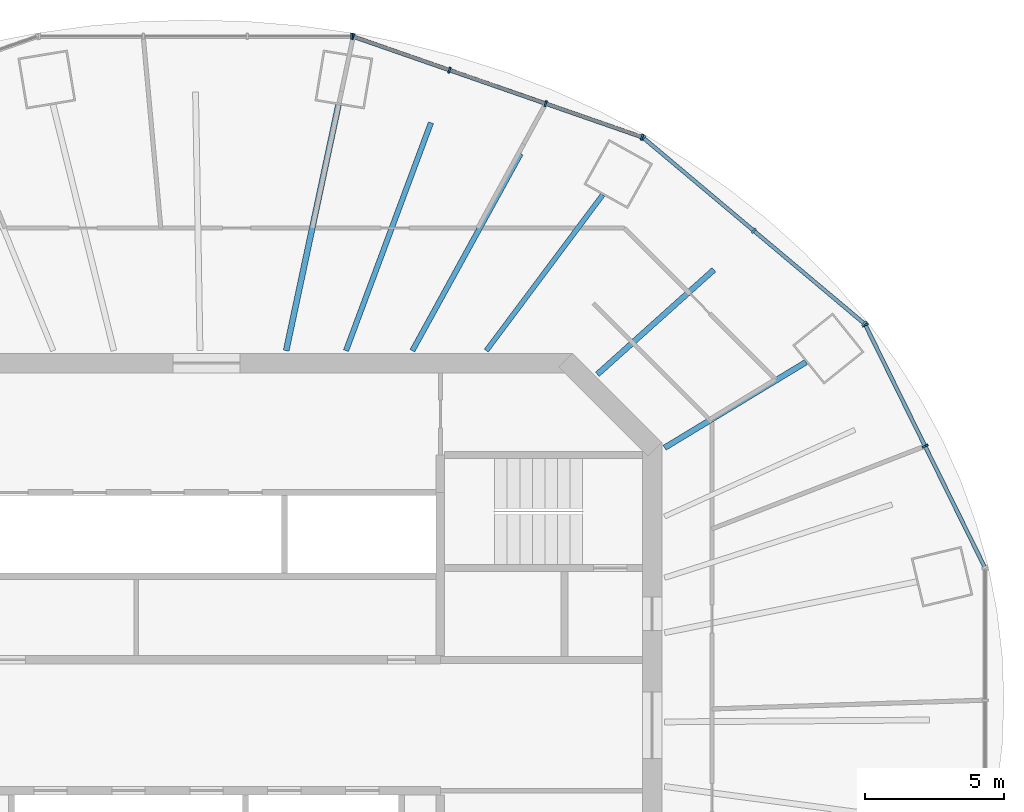
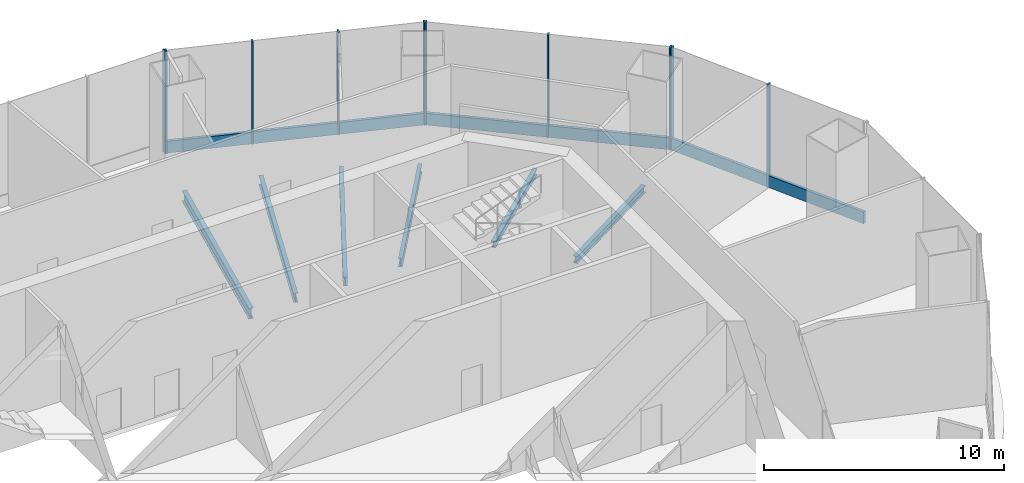
# One storey, part 6 of 12: 13 members, 6 beams, 4 elements without a shape of their own.
"""IFC4 building model written with IfcOpenShell, lengths in metres."""

from ifc_helpers import new_model, si_unit, direction, frame, origin, origin_2d, place, context, subcontext, project, spatial, rectangle, i_section, extrude, material, material_profile, profile_set, type_object, element, aggregate, save


model = new_model("IFC4")

# Units and contexts
model_context = context("Model", 3, precision=1e-05, world=origin(), true_north=direction((0.0, 1.0)))
body_context = subcontext(model_context, "Body", "Model", "MODEL_VIEW")
ifc_project = project(units=[si_unit("LENGTHUNIT", "METRE"), si_unit("AREAUNIT", "SQUARE_METRE"), si_unit("VOLUMEUNIT", "CUBIC_METRE"), si_unit("PLANEANGLEUNIT", "RADIAN"), si_unit("MASSUNIT", "GRAM", prefix="KILO")], contexts=[model_context])

# Site, building, storey
site_placement = place(None, origin())
site = spatial("IfcSite", under=ifc_project, at=site_placement, CompositionType="ELEMENT")
building_placement = place(site_placement, origin())
building = spatial("IfcBuilding", under=site, at=building_placement, Name="Marenthal Gate Tower", CompositionType="ELEMENT")
storey_placement = place(building_placement, frame((0.0, 0.0, 279.10009765625)))
storey = spatial("IfcBuildingStorey", under=building, at=storey_placement, Name="L62", CompositionType="ELEMENT", Elevation=279.10009765625)

# Curtain wall, members
ifc_material_1 = material(Name="Aluminium and glass", Category="aluminium")
curtain_wall_type = type_object("IfcCurtainWallType", Name="Curtain wall sky lobby", PredefinedType="NOTDEFINED", material=ifc_material_1)
curtain_wall_1_placement = place(storey_placement, origin())
curtain_wall_1 = element("IfcCurtainWall", 1, at=curtain_wall_1_placement, inside=storey, type_object=curtain_wall_type, Name="Curtain wall L62 bay 1", PredefinedType="NOTDEFINED")
ifc_material_2 = material(Name="Aluminium", Category="aluminium")
ifc_material_profile_1 = material_profile(ifc_material_2, rectangle(XDim=0.219970703125, YDim=0.070068359375, at=origin_2d()), Name="70x220 aluminium mullion")
ifc_profile_set_1 = profile_set([ifc_material_profile_1], Name="Aluminium")
member_type_1 = type_object("IfcMemberType", Name="Mullion 70x220 sky lobby", PredefinedType="MULLION", material=ifc_profile_set_1)
member_1_placement = place(storey_placement, frame((25.803466796875, 10.021728515625, 0.0), z_axis=(0.0, 0.0, 1.0), x_axis=(-0.89697015821, -0.442091093871, 0.0)))
member_1 = element("IfcMember", 2, at=member_1_placement, type_object=member_type_1, Name="Mullion L62 bay 1.2", PredefinedType="MULLION", context=body_context, shape_type="SweptSolid", body=[
    extrude(rectangle(XDim=0.219970703125, YDim=0.070068359375, at=origin_2d()), origin(), (0.0, 0.0, 1.0), 5.219970703125),
])
member_2_placement = place(storey_placement, frame((23.65771484375, 14.375, 0.0), z_axis=(0.0, 0.0, 1.0), x_axis=(-0.89697015821, -0.442091093871, 0.0)))
member_2 = element("IfcMember", 3, at=member_2_placement, type_object=member_type_1, Name="Mullion L62 bay 1.3", PredefinedType="MULLION", context=body_context, shape_type="SweptSolid", body=[
    extrude(rectangle(XDim=0.219970703125, YDim=0.070068359375, at=origin_2d()), origin(), (0.0, 0.0, 1.0), 5.219970703125),
])

curtain_wall_2_placement = place(storey_placement, origin())
curtain_wall_2 = element("IfcCurtainWall", 4, at=curtain_wall_2_placement, inside=storey, type_object=curtain_wall_type, Name="Curtain wall L62 bay 2", PredefinedType="NOTDEFINED")
member_3_placement = place(storey_placement, frame((23.621337890625, 14.42138671875, 0.0), z_axis=(0.0, 0.0, 1.0), x_axis=(-0.643380191367, -0.76554681722, 0.0)))
member_3 = element("IfcMember", 5, at=member_3_placement, type_object=member_type_1, Name="Mullion L62 bay 2.1", PredefinedType="MULLION", context=body_context, shape_type="SweptSolid", body=[
    extrude(rectangle(XDim=0.219970703125, YDim=0.070068359375, at=origin_2d()), origin(), (0.0, 0.0, 1.0), 5.219970703125),
])
member_4_placement = place(storey_placement, frame((19.6552734375, 17.754638671875, 0.0), z_axis=(0.0, 0.0, 1.0), x_axis=(-0.643380191367, -0.76554681722, 0.0)))
member_4 = element("IfcMember", 6, at=member_4_placement, type_object=member_type_1, Name="Mullion L62 bay 2.2", PredefinedType="MULLION", context=body_context, shape_type="SweptSolid", body=[
    extrude(rectangle(XDim=0.219970703125, YDim=0.070068359375, at=origin_2d()), origin(), (0.0, 0.0, 1.0), 5.219970703125),
])
member_5_placement = place(storey_placement, frame((15.68896484375, 21.087890625, 0.0), z_axis=(0.0, 0.0, 1.0), x_axis=(-0.643380191367, -0.76554681722, 0.0)))
member_5 = element("IfcMember", 7, at=member_5_placement, type_object=member_type_1, Name="Mullion L62 bay 2.3", PredefinedType="MULLION", context=body_context, shape_type="SweptSolid", body=[
    extrude(rectangle(XDim=0.219970703125, YDim=0.070068359375, at=origin_2d()), origin(), (0.0, 0.0, 1.0), 5.219970703125),
])

curtain_wall_3_placement = place(storey_placement, origin())
curtain_wall_3 = element("IfcCurtainWall", 8, at=curtain_wall_3_placement, inside=storey, type_object=curtain_wall_type, Name="Curtain wall L62 bay 3", PredefinedType="NOTDEFINED")
member_6_placement = place(storey_placement, frame((15.6376953125, 21.116943359375, 0.0), z_axis=(0.0, 0.0, 1.0), x_axis=(-0.328756746245, -0.944414634469, 0.0)))
member_6 = element("IfcMember", 9, at=member_6_placement, type_object=member_type_1, Name="Mullion L62 bay 3.1", PredefinedType="MULLION", context=body_context, shape_type="SweptSolid", body=[
    extrude(rectangle(XDim=0.219970703125, YDim=0.070068359375, at=origin_2d()), origin(), (0.0, 0.0, 1.0), 5.219970703125),
])
member_7_placement = place(storey_placement, frame((12.181884765625, 22.320068359375, 0.0), z_axis=(0.0, 0.0, 1.0), x_axis=(-0.328756746245, -0.944414634469, 0.0)))
member_7 = element("IfcMember", 10, at=member_7_placement, type_object=member_type_1, Name="Mullion L62 bay 3.2", PredefinedType="MULLION", context=body_context, shape_type="SweptSolid", body=[
    extrude(rectangle(XDim=0.219970703125, YDim=0.070068359375, at=origin_2d()), origin(), (0.0, 0.0, 1.0), 5.219970703125),
])
member_8_placement = place(storey_placement, frame((8.725830078125, 23.523193359375, 0.0), z_axis=(0.0, 0.0, 1.0), x_axis=(-0.328756746245, -0.944414634469, 0.0)))
member_8 = element("IfcMember", 11, at=member_8_placement, type_object=member_type_1, Name="Mullion L62 bay 3.3", PredefinedType="MULLION", context=body_context, shape_type="SweptSolid", body=[
    extrude(rectangle(XDim=0.219970703125, YDim=0.070068359375, at=origin_2d()), origin(), (0.0, 0.0, 1.0), 5.219970703125),
])
member_9_placement = place(storey_placement, frame((5.27001953125, 24.72607421875, 0.0), z_axis=(0.0, 0.0, 1.0), x_axis=(-0.328756746245, -0.944414634469, 0.0)))
member_9 = element("IfcMember", 12, at=member_9_placement, type_object=member_type_1, Name="Mullion L62 bay 3.4", PredefinedType="MULLION", context=body_context, shape_type="SweptSolid", body=[
    extrude(rectangle(XDim=0.219970703125, YDim=0.070068359375, at=origin_2d()), origin(), (0.0, 0.0, 1.0), 5.219970703125),
])

# Curtain wall, member
curtain_wall_4_placement = place(storey_placement, origin())
curtain_wall_4 = element("IfcCurtainWall", 13, at=curtain_wall_4_placement, inside=storey, type_object=curtain_wall_type, Name="Curtain wall L62 bay 4", PredefinedType="NOTDEFINED")
member_10_placement = place(storey_placement, frame((5.211669921875, 24.736083984375, 0.0), z_axis=(0.0, 0.0, 1.0), x_axis=(0.0, -1.0, 0.0)))
member_10 = element("IfcMember", 14, at=member_10_placement, type_object=member_type_1, Name="Mullion L62 bay 4.1", PredefinedType="MULLION", context=body_context, shape_type="SweptSolid", body=[
    extrude(rectangle(XDim=0.219970703125, YDim=0.070068359375, at=origin_2d()), origin(), (0.0, 0.0, 1.0), 5.219970703125),
])
aggregate(curtain_wall_4, [member_10])

# Member
ifc_material_3 = material(Name="Aluminium", Category="aluminium")
ifc_material_profile_2 = material_profile(ifc_material_3, rectangle(XDim=0.139892578125, YDim=0.60009765625, at=origin_2d()), Name="140x600 aluminium transom")
ifc_profile_set_2 = profile_set([ifc_material_profile_2], Name="Aluminium")
member_type_2 = type_object("IfcMemberType", Name="Transom 140x600 sky lobby", PredefinedType="USERDEFINED", material=ifc_profile_set_2)
member_11_placement = place(storey_placement, frame((27.93359375, 5.69970703125, 0.2998046875), z_axis=(-0.442099023513, 0.896966249872, 0.0), x_axis=(-0.896966249872, -0.442099023513, 0.0)))
member_11 = element("IfcMember", 15, at=member_11_placement, type_object=member_type_2, Name="Transom L62 bay 1", ObjectType="TRANSOM", PredefinedType="USERDEFINED", context=body_context, shape_type="SweptSolid", body=[
    extrude(rectangle(XDim=0.139892578125, YDim=0.60009765625, at=origin_2d()), origin(), (0.0, 0.0, 1.0), 9.636962890625),
])

aggregate(curtain_wall_1, [member_1, member_2, member_11])

member_12_placement = place(storey_placement, frame((23.5947265625, 14.44384765625, 0.2998046875), z_axis=(-0.765546889855, 0.643380104941, 0.0), x_axis=(-0.643380104941, -0.765546889855, 0.0)))
member_12 = element("IfcMember", 16, at=member_12_placement, type_object=member_type_2, Name="Transom L62 bay 2", ObjectType="TRANSOM", PredefinedType="USERDEFINED", context=body_context, shape_type="SweptSolid", body=[
    extrude(rectangle(XDim=0.139892578125, YDim=0.60009765625, at=origin_2d()), origin(), (0.0, 0.0, 1.0), 10.291748046875),
])

aggregate(curtain_wall_2, [member_3, member_4, member_5, member_12])

member_13_placement = place(storey_placement, frame((15.6044921875, 21.128662109375, 0.2998046875), z_axis=(-0.944417053534, 0.32874979695, 0.0), x_axis=(-0.32874979695, -0.944417053534, 0.0)))
member_13 = element("IfcMember", 17, at=member_13_placement, type_object=member_type_2, Name="Transom L62 bay 3", ObjectType="TRANSOM", PredefinedType="USERDEFINED", context=body_context, shape_type="SweptSolid", body=[
    extrude(rectangle(XDim=0.139892578125, YDim=0.60009765625, at=origin_2d()), origin(), (0.0, 0.0, 1.0), 10.90771484375),
])

aggregate(curtain_wall_3, [member_6, member_7, member_8, member_9, member_13])

# Beams
ifc_material_4 = material(Name="Steel S355", Category="steel")
ifc_material_profile_3 = material_profile(ifc_material_4, i_section(OverallWidth=0.205078125, OverallDepth=0.31005859375, WebThickness=0.009521484375, FlangeThickness=0.016357421875, FilletRadius=0.0126953125, at=origin_2d()), Name="W310X74")
ifc_profile_set_3 = profile_set([ifc_material_profile_3], Name="Steel S355")
beam_type_1 = type_object("IfcBeamType", Name="W310X74 beam", PredefinedType="BEAM", material=ifc_profile_set_3)
beam_1_placement = place(storey_placement, frame((18.220947265625, 16.35498046875, -0.405029296875), z_axis=(-0.744204646062, -0.667951678476, 0.0), x_axis=(0.667951678476, -0.744204646062, 0.0)))
element("IfcBeam", 18, at=beam_1_placement, inside=storey, type_object=beam_type_1, Name="BM-L62-19", PredefinedType="BEAM", context=body_context, shape_type="SweptSolid", body=[
    extrude(i_section(OverallWidth=0.205078125, OverallDepth=0.31005859375, WebThickness=0.009521484375, FlangeThickness=0.016357421875, FilletRadius=0.0126953125, at=origin_2d()), origin(), (0.0, 0.0, 1.0), 5.622314453125),
])
ifc_material_5 = material(Name="Steel S355", Category="steel")
ifc_material_profile_4 = material_profile(ifc_material_5, i_section(OverallWidth=0.205078125, OverallDepth=0.35302734375, WebThickness=0.009521484375, FlangeThickness=0.016845703125, FilletRadius=0.014892578125, at=origin_2d()), Name="W360X79")
ifc_profile_set_4 = profile_set([ifc_material_profile_4], Name="Steel S355")
beam_type_2 = type_object("IfcBeamType", Name="W360X79 beam", PredefinedType="BEAM", material=ifc_profile_set_4)
beam_2_placement = place(storey_placement, frame((21.532470703125, 13.040771484375, -0.426513671875), z_axis=(-0.855361145993, -0.51803215144, 0.0), x_axis=(0.51803215144, -0.855361145993, 0.0)))
element("IfcBeam", 19, at=beam_2_placement, inside=storey, type_object=beam_type_2, Name="BM-L62-02", PredefinedType="BEAM", context=body_context, shape_type="SweptSolid", body=[
    extrude(i_section(OverallWidth=0.205078125, OverallDepth=0.35302734375, WebThickness=0.009521484375, FlangeThickness=0.016845703125, FilletRadius=0.014892578125, at=origin_2d()), origin(), (0.0, 0.0, 1.0), 5.94189453125),
])
ifc_material_6 = material(Name="Steel S355", Category="steel")
ifc_material_profile_5 = material_profile(ifc_material_6, i_section(OverallWidth=0.180908203125, OverallDepth=0.4169921875, WebThickness=0.010986328125, FlangeThickness=0.018310546875, FilletRadius=0.01025390625, at=origin_2d()), Name="W410X85")
ifc_profile_set_5 = profile_set([ifc_material_profile_5], Name="Steel S355")
beam_type_3 = type_object("IfcBeamType", Name="W410X85 beam", PredefinedType="BEAM", material=ifc_profile_set_5)
beam_3_placement = place(storey_placement, frame((14.2294921875, 19.045654296875, -0.45849609375), z_axis=(-0.598522594566, -0.801105925452, 0.0), x_axis=(0.801105925452, -0.598522594566, 0.0)))
element("IfcBeam", 20, at=beam_3_placement, inside=storey, type_object=beam_type_3, Name="BM-L62-03", PredefinedType="BEAM", context=body_context, shape_type="SweptSolid", body=[
    extrude(i_section(OverallWidth=0.180908203125, OverallDepth=0.4169921875, WebThickness=0.010986328125, FlangeThickness=0.018310546875, FilletRadius=0.01025390625, at=origin_2d()), origin(), (0.0, 0.0, 1.0), 6.98486328125),
])
ifc_material_7 = material(Name="Steel S355", Category="steel")
ifc_material_profile_6 = material_profile(ifc_material_7, i_section(OverallWidth=0.193115234375, OverallDepth=0.467041015625, WebThickness=0.011474609375, FlangeThickness=0.01904296875, FilletRadius=0.010009765625, at=origin_2d()), Name="W460X97")
ifc_profile_set_6 = profile_set([ifc_material_profile_6], Name="Steel S355")
beam_type_4 = type_object("IfcBeamType", Name="W460X97 beam", PredefinedType="BEAM", material=ifc_profile_set_6)
beam_4_placement = place(storey_placement, frame((11.283203125, 20.5244140625, -0.483642578125), z_axis=(-0.481724864099, -0.87632251786, 0.0), x_axis=(0.87632251786, -0.481724864099, 0.0)))
element("IfcBeam", 21, at=beam_4_placement, inside=storey, type_object=beam_type_4, Name="BM-L62-20", PredefinedType="BEAM", context=body_context, shape_type="SweptSolid", body=[
    extrude(i_section(OverallWidth=0.193115234375, OverallDepth=0.467041015625, WebThickness=0.011474609375, FlangeThickness=0.01904296875, FilletRadius=0.010009765625, at=origin_2d()), origin(), (0.0, 0.0, 1.0), 8.072998046875),
])
beam_5_placement = place(storey_placement, frame((8.06103515625, 21.633544921875, -0.483642578125), z_axis=(-0.349161969731, -0.937062387941, 0.0), x_axis=(0.937062387941, -0.349161969731, 0.0)))
element("IfcBeam", 22, at=beam_5_placement, inside=storey, type_object=beam_type_4, Name="BM-L62-21", PredefinedType="BEAM", context=body_context, shape_type="SweptSolid", body=[
    extrude(i_section(OverallWidth=0.193115234375, OverallDepth=0.467041015625, WebThickness=0.011474609375, FlangeThickness=0.01904296875, FilletRadius=0.010009765625, at=origin_2d()), origin(), (0.0, 0.0, 1.0), 8.733154296875),
])
ifc_material_8 = material(Name="Steel S355", Category="steel")
ifc_material_profile_7 = material_profile(ifc_material_8, i_section(OverallWidth=0.2119140625, OverallDepth=0.5439453125, WebThickness=0.01318359375, FlangeThickness=0.021240234375, FilletRadius=0.0126953125, at=origin_2d()), Name="W530X123")
ifc_profile_set_7 = profile_set([ifc_material_profile_7], Name="Steel S355")
beam_type_5 = type_object("IfcBeamType", Name="W530X123 beam", PredefinedType="BEAM", material=ifc_profile_set_7)
beam_6_placement = place(storey_placement, frame((4.74072265625, 22.28076171875, -0.522216796875), z_axis=(-0.208108745317, -0.97810569476, 0.0), x_axis=(0.97810569476, -0.208108745317, 0.0)))
element("IfcBeam", 23, at=beam_6_placement, inside=storey, type_object=beam_type_5, Name="BM-L62-04", PredefinedType="BEAM", context=body_context, shape_type="SweptSolid", body=[
    extrude(i_section(OverallWidth=0.2119140625, OverallDepth=0.5439453125, WebThickness=0.01318359375, FlangeThickness=0.021240234375, FilletRadius=0.0126953125, at=origin_2d()), origin(), (0.0, 0.0, 1.0), 9.028564453125),
])

save(model, "model.ifc")
